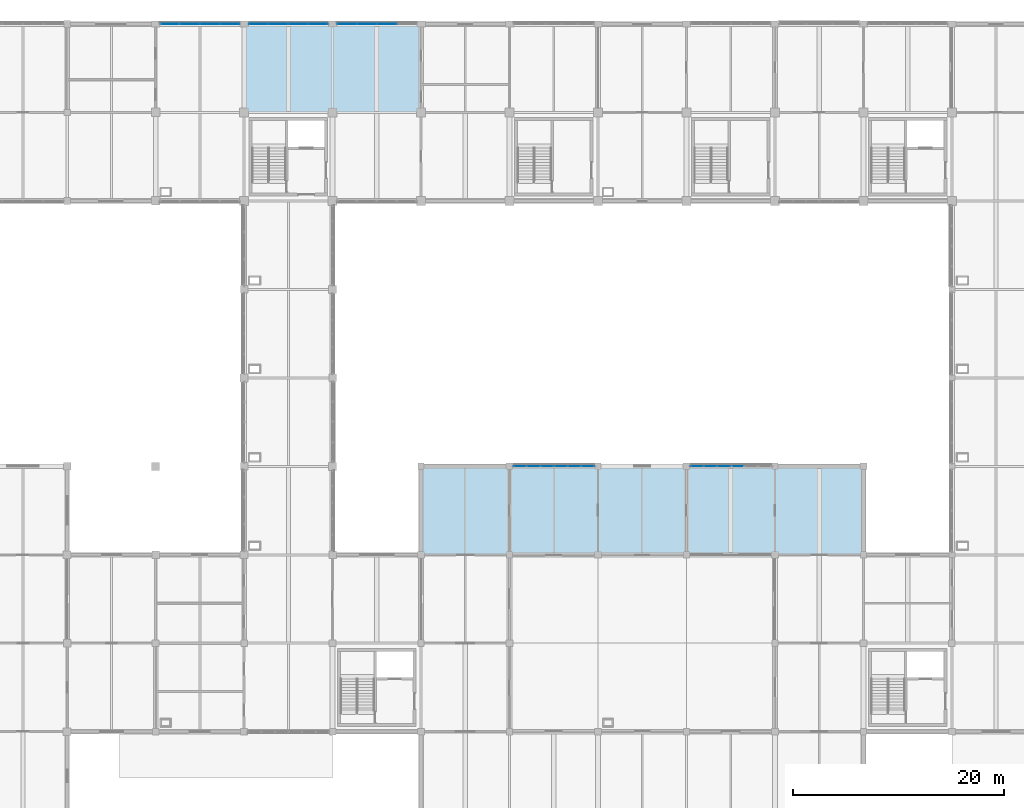
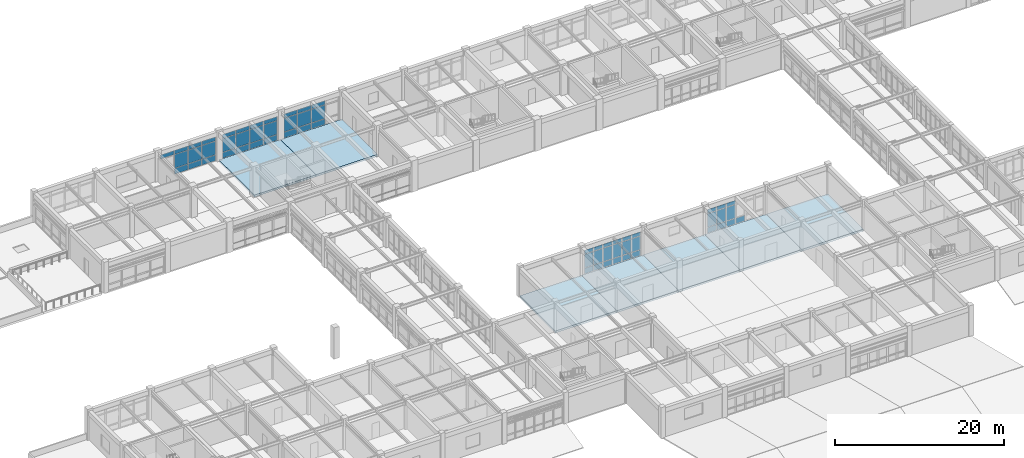
# One storey, part 49 of 78: 59 plates, 7 slabs, 5 elements without a shape of their own.
"""IFC4 building model written with IfcOpenShell, lengths in metres."""

import ifcopenshell
import ifcopenshell.guid

model = None  # the IFC model being written
_history = None  # IfcOwnerHistory: only IFC2X3 demands one
_inside = {}  # id of a spatial element -> (the spatial element, [elements in it])
_under = {}  # id of a project, library or spatial element -> (it, [spatial elements below it])
_declared = {}  # id of a project -> (the project, [libraries it declares])
_typed = {}  # id of a type object -> (the type object, [elements of that type])
_made_of = {}  # id of a material, layer set ... -> (it, [elements and type objects made of it])


def new_model(schema):
    """Start an empty IFC model of exactly this schema.

    Asked for "IFC4X3", IfcOpenShell would pick the latest addendum, in which some entities
    have other attributes; the version numbers below select the first issue.
    IFC2X3 requires an IfcOwnerHistory on every rooted entity: one is made here for all.
    """
    global model, _history
    if schema == "IFC4X3":
        model = ifcopenshell.file(schema_version=(4, 3, 0, 0))
    else:
        model = ifcopenshell.file(schema=schema)
    _inside.clear()
    _under.clear()
    _declared.clear()
    _typed.clear()
    _made_of.clear()
    _history = None
    if model.schema == "IFC2X3":
        org = make("IfcOrganization", Name="unknown")
        user = make(
            "IfcPersonAndOrganization",
            ThePerson=make("IfcPerson", FamilyName="unknown"),
            TheOrganization=org,
        )
        app = make(
            "IfcApplication",
            ApplicationDeveloper=org,
            Version="unknown",
            ApplicationFullName="unknown",
            ApplicationIdentifier="unknown",
        )
        _history = make(
            "IfcOwnerHistory",
            OwningUser=user,
            OwningApplication=app,
            ChangeAction="ADDED",
            CreationDate=0,
        )
    return model


def make(cls, **values):
    """One entity of the class cls with the attributes given. An attribute that is None is left unset."""
    return model.create_entity(
        cls, **{name: value for name, value in values.items() if value is not None}
    )


def rooted(cls, **values):
    """An entity with a GlobalId (a new one), such as an element, a storey or a relation."""
    return make(cls, GlobalId=ifcopenshell.guid.new(), OwnerHistory=_history, **values)


def si_unit(unit_type, name, prefix=None):
    """IfcSIUnit, for example si_unit("LENGTHUNIT", "METRE", prefix="MILLI")."""
    return make("IfcSIUnit", UnitType=unit_type, Prefix=prefix, Name=name)


def assignment(units):
    """IfcUnitAssignment: the units of a project."""
    return None if units is None else make("IfcUnitAssignment", Units=units)


def point(xyz):
    """IfcCartesianPoint."""
    return None if xyz is None else make("IfcCartesianPoint", Coordinates=xyz)


def direction(xyz):
    """IfcDirection."""
    return None if xyz is None else make("IfcDirection", DirectionRatios=xyz)


def frame(location, z_axis=None, x_axis=None):
    """IfcAxis2Placement3D, a coordinate frame: its origin and axes. An axis left out is left unset."""
    return make(
        "IfcAxis2Placement3D",
        Location=point(location),
        Axis=direction(z_axis),
        RefDirection=direction(x_axis),
    )


def frame_2d(location, x_axis=None):
    """IfcAxis2Placement2D, a coordinate frame in the plane: its origin and x axis."""
    return make(
        "IfcAxis2Placement2D", Location=point(location), RefDirection=direction(x_axis)
    )


def origin():
    """The frame at (0, 0, 0) with its axes left unset."""
    return frame((0.0, 0.0, 0.0))


def origin_2d():
    """The frame at (0, 0) in the plane with its x axis left unset."""
    return frame_2d((0.0, 0.0))


def place(relative_to, where):
    """IfcLocalPlacement: puts the frame where relative to a parent placement (None: the world)."""
    return make(
        "IfcLocalPlacement", PlacementRelTo=relative_to, RelativePlacement=where
    )


def context(
    kind, dimensions, precision=None, world=None, true_north=None, identifier=None
):
    """IfcGeometricRepresentationContext, for example the 3D "Model" context."""
    return make(
        "IfcGeometricRepresentationContext",
        ContextIdentifier=identifier,
        ContextType=kind,
        CoordinateSpaceDimension=dimensions,
        Precision=precision,
        WorldCoordinateSystem=world,
        TrueNorth=true_north,
    )


def subcontext(parent, identifier, kind, view, scale=None):
    """IfcGeometricRepresentationSubContext, for example "Body" below "Model"."""
    return make(
        "IfcGeometricRepresentationSubContext",
        ContextIdentifier=identifier,
        ContextType=kind,
        ParentContext=parent,
        TargetScale=scale,
        TargetView=view,
    )


def project(units=None, contexts=None):
    """IfcProject with its units and contexts."""
    return rooted(
        "IfcProject",
        Name="project",
        RepresentationContexts=contexts,
        UnitsInContext=assignment(units),
    )


def spatial(cls, under=None, at=None, **own):
    """A site, building, storey or space (cls), placed at a placement, below another one or the project."""
    s = rooted(cls, ObjectPlacement=at, **own)
    if under is not None:
        _under.setdefault(under.id(), (under, []))[1].append(s)
    return s


def polyline(points):
    """IfcPolyline through the points."""
    return make("IfcPolyline", Points=[point(p) for p in points])


def profile(cls, at=None, kind="AREA", **sizes):
    """A parametric profile (cls). Its sizes go by their IFC names, for example OverallWidth=200.0."""
    return make(cls, ProfileType=kind, Position=at, **sizes)


def rectangle(**sizes):
    """IfcRectangleProfileDef."""
    return profile("IfcRectangleProfileDef", **sizes)


def outline(outer, holes=None, kind="AREA"):
    """IfcArbitraryClosedProfileDef: a profile drawn as a closed curve; with holes, ...WithVoids."""
    if holes is None:
        return make("IfcArbitraryClosedProfileDef", ProfileType=kind, OuterCurve=outer)
    return make(
        "IfcArbitraryProfileDefWithVoids",
        ProfileType=kind,
        OuterCurve=outer,
        InnerCurves=holes,
    )


def extrude(swept, where, along, depth):
    """IfcExtrudedAreaSolid: the profile swept, set in the frame where, extruded along a direction by depth."""
    return make(
        "IfcExtrudedAreaSolid",
        SweptArea=swept,
        Position=where,
        ExtrudedDirection=direction(along),
        Depth=depth,
    )


def shape(context_of_items, identifier, shape_type, items):
    """IfcShapeRepresentation: the items that make up one representation, for example the "Body"."""
    return make(
        "IfcShapeRepresentation",
        ContextOfItems=context_of_items,
        RepresentationIdentifier=identifier,
        RepresentationType=shape_type,
        Items=items,
    )


def material(Name=None, Category=None):
    """IfcMaterial."""
    return make("IfcMaterial", Name=Name, Category=Category)


def layer(
    of_material, thickness, ventilated=None, Name=None, Category=None, Priority=None
):
    """IfcMaterialLayer: one layer of a wall or slab, of a material (None: an air gap)."""
    return make(
        "IfcMaterialLayer",
        Material=of_material,
        LayerThickness=thickness,
        IsVentilated=ventilated,
        Name=Name,
        Category=Category,
        Priority=Priority,
    )


def layer_set(layers, Name=None):
    """IfcMaterialLayerSet."""
    return make("IfcMaterialLayerSet", MaterialLayers=layers, LayerSetName=Name)


def made_of(thing, what):
    """Note that an element or type object is made of a material, layer set ...; save() writes the relation."""
    if what is not None:
        _made_of.setdefault(what.id(), (what, []))[1].append(thing)
    return thing


def type_object(cls, material=None, **own):
    """A type object (cls), such as IfcWallType, which elements share."""
    return made_of(rooted(cls, **own), material)


def element(
    cls,
    number,
    at=None,
    inside=None,
    cuts=None,
    type_object=None,
    material=None,
    context=None,
    identifier="Body",
    shape_type=None,
    held_by="IfcProductDefinitionShape",
    body=None,
    shapes=None,
    **own,
):
    """One element of the class cls, such as IfcWall. Its Tag is "e" and its number.

    at: its placement. inside: the storey or other place that contains it. cuts: it is an
    opening in that element (IfcRelVoidsElement). A single representation is given by context,
    identifier, shape_type and body (its items); several are given by shapes. held_by: the class
    of the entity that holds the representations. save() writes the other relations.
    """
    e = rooted(cls, Tag="e%d" % number, ObjectPlacement=at, **own)
    if body is not None:
        shapes = [shape(context, identifier, shape_type, body)]
    if shapes is not None:
        e.Representation = make(held_by, Representations=shapes)
    if inside is not None:
        _inside.setdefault(inside.id(), (inside, []))[1].append(e)
    if cuts is not None:
        rooted(
            "IfcRelVoidsElement", RelatingBuildingElement=cuts, RelatedOpeningElement=e
        )
    if type_object is not None:
        _typed.setdefault(type_object.id(), (type_object, []))[1].append(e)
    return made_of(e, material)


def aggregate(whole, parts):
    """IfcRelAggregates: a whole, such as a stair, and the parts it consists of."""
    return rooted("IfcRelAggregates", RelatingObject=whole, RelatedObjects=parts)


def save(model, path):
    """Write the relations noted so far, then the file.

    IfcRelAggregates (storeys below a building ...), IfcRelContainedInSpatialStructure (elements
    in a storey), IfcRelDefinesByType, IfcRelAssociatesMaterial and IfcRelDeclares: one each for
    every whole, place, type object, material and project.
    """
    for whole, parts in _under.values():
        aggregate(whole, parts)
    for where, things in _inside.values():
        rooted(
            "IfcRelContainedInSpatialStructure",
            RelatedElements=things,
            RelatingStructure=where,
        )
    for kind, things in _typed.values():
        rooted("IfcRelDefinesByType", RelatedObjects=things, RelatingType=kind)
    for what, things in _made_of.values():
        rooted("IfcRelAssociatesMaterial", RelatedObjects=things, RelatingMaterial=what)
    for by, libraries in _declared.values():
        rooted("IfcRelDeclares", RelatingContext=by, RelatedDefinitions=libraries)
    model.write(path)


model = new_model("IFC4")

# Units and contexts
model_context = context("Model", 3, precision=1e-05, world=origin(), true_north=direction((0.0, 1.0)))
body_context = subcontext(model_context, "Body", "Model", "MODEL_VIEW")
ifc_project = project(units=[si_unit("LENGTHUNIT", "METRE"), si_unit("AREAUNIT", "SQUARE_METRE"), si_unit("VOLUMEUNIT", "CUBIC_METRE"), si_unit("PLANEANGLEUNIT", "RADIAN"), si_unit("MASSUNIT", "GRAM", prefix="KILO")], contexts=[model_context])

# Site, building, storey
site_placement = place(None, origin())
site = spatial("IfcSite", under=ifc_project, at=site_placement, CompositionType="ELEMENT")
building_placement = place(site_placement, origin())
building = spatial("IfcBuilding", under=site, at=building_placement, Name="Porcellanite Civic Hall", CompositionType="ELEMENT")
storey_placement = place(building_placement, frame((0.0, 0.0, 10.260009765625)))
storey = spatial("IfcBuildingStorey", under=building, at=storey_placement, Name="L02", CompositionType="ELEMENT", Elevation=10.260009765625)

# Curtain wall, plates
ifc_material_1 = material(Name="Anodised aluminium and solar laminated glass", Category="aluminium")
ifc_layer_1 = layer(ifc_material_1, 0.179931640625)
ifc_layer_set_1 = layer_set([ifc_layer_1], Name="Anodised aluminium and solar laminated glass")
curtain_wall_type_1 = type_object("IfcCurtainWallType", Name="CW-SYS06", PredefinedType="NOTDEFINED", material=ifc_layer_set_1)
curtain_wall_1_placement = place(storey_placement, origin())
curtain_wall_1 = element("IfcCurtainWall", 1, at=curtain_wall_1_placement, inside=storey, type_object=curtain_wall_type_1, Name="Curtain wall CW-140", PredefinedType="NOTDEFINED")
ifc_material_2 = material(Name="Cyclone laminated solar-control low-E glass", Category="glass")
ifc_layer_2 = layer(ifc_material_2, 0.02392578125)
ifc_layer_set_2 = layer_set([ifc_layer_2], Name="Cyclone laminated solar-control low-E glass")
plate_type_1 = type_object("IfcPlateType", Name="CWP-01", PredefinedType="CURTAIN_PANEL", material=ifc_layer_set_2)
plate_1_placement = place(storey_placement, frame((43.366943359375, 117.60009765625, 2.9150390625), z_axis=(0.0, 0.0, 1.0), x_axis=(1.0, 0.0, 0.0)))
plate_1 = element("IfcPlate", 2, at=plate_1_placement, type_object=plate_type_1, Name="CW-140 panel 1.3", PredefinedType="CURTAIN_PANEL", context=body_context, shape_type="SweptSolid", body=[
    extrude(rectangle(XDim=1.802001953125, YDim=0.02392578125, at=origin_2d()), origin(), (0.0, 0.0, 1.0), 0.574951171875),
])
plate_2_placement = place(storey_placement, frame((45.250244140625, 117.60009765625, 0.0498046875), z_axis=(0.0, 0.0, 1.0), x_axis=(1.0, 0.0, 0.0)))
plate_2 = element("IfcPlate", 3, at=plate_2_placement, type_object=plate_type_1, Name="CW-140 panel 2.1", PredefinedType="CURTAIN_PANEL", context=body_context, shape_type="SweptSolid", body=[
    extrude(rectangle(XDim=1.83447265625, YDim=0.02392578125, at=origin_2d()), origin(), (0.0, 0.0, 1.0), 0.824951171875),
])
plate_3_placement = place(storey_placement, frame((45.250244140625, 117.60009765625, 0.925048828125), z_axis=(0.0, 0.0, 1.0), x_axis=(1.0, 0.0, 0.0)))
plate_3 = element("IfcPlate", 4, at=plate_3_placement, type_object=plate_type_1, Name="CW-140 panel 2.2", PredefinedType="CURTAIN_PANEL", context=body_context, shape_type="SweptSolid", body=[
    extrude(rectangle(XDim=1.83447265625, YDim=0.02392578125, at=origin_2d()), origin(), (0.0, 0.0, 1.0), 1.93994140625),
])
plate_4_placement = place(storey_placement, frame((45.250244140625, 117.60009765625, 2.9150390625), z_axis=(0.0, 0.0, 1.0), x_axis=(1.0, 0.0, 0.0)))
plate_4 = element("IfcPlate", 5, at=plate_4_placement, type_object=plate_type_1, Name="CW-140 panel 2.3", PredefinedType="CURTAIN_PANEL", context=body_context, shape_type="SweptSolid", body=[
    extrude(rectangle(XDim=1.83447265625, YDim=0.02392578125, at=origin_2d()), origin(), (0.0, 0.0, 1.0), 0.574951171875),
])
plate_5_placement = place(storey_placement, frame((47.149658203125, 117.60009765625, 0.0498046875), z_axis=(0.0, 0.0, 1.0), x_axis=(1.0, 0.0, 0.0)))
plate_5 = element("IfcPlate", 6, at=plate_5_placement, type_object=plate_type_1, Name="CW-140 panel 3.1", PredefinedType="CURTAIN_PANEL", context=body_context, shape_type="SweptSolid", body=[
    extrude(rectangle(XDim=1.83447265625, YDim=0.02392578125, at=origin_2d()), origin(), (0.0, 0.0, 1.0), 0.824951171875),
])
plate_6_placement = place(storey_placement, frame((47.149658203125, 117.60009765625, 0.925048828125), z_axis=(0.0, 0.0, 1.0), x_axis=(1.0, 0.0, 0.0)))
plate_6 = element("IfcPlate", 7, at=plate_6_placement, type_object=plate_type_1, Name="CW-140 panel 3.2", PredefinedType="CURTAIN_PANEL", context=body_context, shape_type="SweptSolid", body=[
    extrude(rectangle(XDim=1.83447265625, YDim=0.02392578125, at=origin_2d()), origin(), (0.0, 0.0, 1.0), 1.93994140625),
])
plate_7_placement = place(storey_placement, frame((47.149658203125, 117.60009765625, 2.9150390625), z_axis=(0.0, 0.0, 1.0), x_axis=(1.0, 0.0, 0.0)))
plate_7 = element("IfcPlate", 8, at=plate_7_placement, type_object=plate_type_1, Name="CW-140 panel 3.3", PredefinedType="CURTAIN_PANEL", context=body_context, shape_type="SweptSolid", body=[
    extrude(rectangle(XDim=1.83447265625, YDim=0.02392578125, at=origin_2d()), origin(), (0.0, 0.0, 1.0), 0.574951171875),
])
plate_8_placement = place(storey_placement, frame((49.032958984375, 117.60009765625, 0.0498046875), z_axis=(0.0, 0.0, 1.0), x_axis=(1.0, 0.0, 0.0)))
plate_8 = element("IfcPlate", 9, at=plate_8_placement, type_object=plate_type_1, Name="CW-140 panel 4.1", PredefinedType="CURTAIN_PANEL", context=body_context, shape_type="SweptSolid", body=[
    extrude(rectangle(XDim=1.802001953125, YDim=0.02392578125, at=origin_2d()), origin(), (0.0, 0.0, 1.0), 0.824951171875),
])
plate_9_placement = place(storey_placement, frame((49.032958984375, 117.60009765625, 0.925048828125), z_axis=(0.0, 0.0, 1.0), x_axis=(1.0, 0.0, 0.0)))
plate_9 = element("IfcPlate", 10, at=plate_9_placement, type_object=plate_type_1, Name="CW-140 panel 4.2", PredefinedType="CURTAIN_PANEL", context=body_context, shape_type="SweptSolid", body=[
    extrude(rectangle(XDim=1.802001953125, YDim=0.02392578125, at=origin_2d()), origin(), (0.0, 0.0, 1.0), 1.93994140625),
])
plate_10_placement = place(storey_placement, frame((49.032958984375, 117.60009765625, 2.9150390625), z_axis=(0.0, 0.0, 1.0), x_axis=(1.0, 0.0, 0.0)))
plate_10 = element("IfcPlate", 11, at=plate_10_placement, type_object=plate_type_1, Name="CW-140 panel 4.3", PredefinedType="CURTAIN_PANEL", context=body_context, shape_type="SweptSolid", body=[
    extrude(rectangle(XDim=1.802001953125, YDim=0.02392578125, at=origin_2d()), origin(), (0.0, 0.0, 1.0), 0.574951171875),
])
aggregate(curtain_wall_1, [plate_1, plate_2, plate_3, plate_4, plate_5, plate_6, plate_7, plate_8, plate_9, plate_10])

ifc_material_3 = material(Name="Anodised aluminium and solar laminated glass", Category="aluminium")
ifc_layer_3 = layer(ifc_material_3, 0.179931640625)
ifc_layer_set_3 = layer_set([ifc_layer_3], Name="Anodised aluminium and solar laminated glass")
curtain_wall_type_2 = type_object("IfcCurtainWallType", Name="CW-SYS03", PredefinedType="NOTDEFINED", material=ifc_layer_set_3)
curtain_wall_2_placement = place(storey_placement, origin())
curtain_wall_2 = element("IfcCurtainWall", 12, at=curtain_wall_2_placement, inside=storey, type_object=curtain_wall_type_2, Name="Curtain wall CW-150", PredefinedType="NOTDEFINED")
plate_11_placement = place(storey_placement, frame((51.770751953125, 117.60009765625, 0.054931640625), z_axis=(0.0, 0.0, 1.0), x_axis=(1.0, 0.0, 0.0)))
plate_11 = element("IfcPlate", 13, at=plate_11_placement, type_object=plate_type_1, Name="CW-150 panel 1.1", PredefinedType="CURTAIN_PANEL", context=body_context, shape_type="SweptSolid", body=[
    extrude(rectangle(XDim=1.779541015625, YDim=0.02392578125, at=origin_2d()), origin(), (0.0, 0.0, 1.0), 0.8173828125),
])
plate_12_placement = place(storey_placement, frame((51.770751953125, 117.60009765625, 0.927490234375), z_axis=(0.0, 0.0, 1.0), x_axis=(1.0, 0.0, 0.0)))
plate_12 = element("IfcPlate", 14, at=plate_12_placement, type_object=plate_type_1, Name="CW-150 panel 1.2", PredefinedType="CURTAIN_PANEL", context=body_context, shape_type="SweptSolid", body=[
    extrude(rectangle(XDim=1.779541015625, YDim=0.02392578125, at=origin_2d()), origin(), (0.0, 0.0, 1.0), 1.93505859375),
])
plate_13_placement = place(storey_placement, frame((51.770751953125, 117.60009765625, 2.91748046875), z_axis=(0.0, 0.0, 1.0), x_axis=(1.0, 0.0, 0.0)))
plate_13 = element("IfcPlate", 15, at=plate_13_placement, type_object=plate_type_1, Name="CW-150 panel 1.3", PredefinedType="CURTAIN_PANEL", context=body_context, shape_type="SweptSolid", body=[
    extrude(rectangle(XDim=1.779541015625, YDim=0.02392578125, at=origin_2d()), origin(), (0.0, 0.0, 1.0), 0.5673828125),
])
plate_14_placement = place(storey_placement, frame((53.650146484375, 117.60009765625, 0.054931640625), z_axis=(0.0, 0.0, 1.0), x_axis=(1.0, 0.0, 0.0)))
plate_14 = element("IfcPlate", 16, at=plate_14_placement, type_object=plate_type_1, Name="CW-150 panel 2.1", PredefinedType="CURTAIN_PANEL", context=body_context, shape_type="SweptSolid", body=[
    extrude(rectangle(XDim=1.819580078125, YDim=0.02392578125, at=origin_2d()), origin(), (0.0, 0.0, 1.0), 0.8173828125),
])
plate_15_placement = place(storey_placement, frame((53.650146484375, 117.60009765625, 0.927490234375), z_axis=(0.0, 0.0, 1.0), x_axis=(1.0, 0.0, 0.0)))
plate_15 = element("IfcPlate", 17, at=plate_15_placement, type_object=plate_type_1, Name="CW-150 panel 2.2", PredefinedType="CURTAIN_PANEL", context=body_context, shape_type="SweptSolid", body=[
    extrude(rectangle(XDim=1.819580078125, YDim=0.02392578125, at=origin_2d()), origin(), (0.0, 0.0, 1.0), 1.93505859375),
])
plate_16_placement = place(storey_placement, frame((53.650146484375, 117.60009765625, 2.91748046875), z_axis=(0.0, 0.0, 1.0), x_axis=(1.0, 0.0, 0.0)))
plate_16 = element("IfcPlate", 18, at=plate_16_placement, type_object=plate_type_1, Name="CW-150 panel 2.3", PredefinedType="CURTAIN_PANEL", context=body_context, shape_type="SweptSolid", body=[
    extrude(rectangle(XDim=1.819580078125, YDim=0.02392578125, at=origin_2d()), origin(), (0.0, 0.0, 1.0), 0.5673828125),
])
plate_17_placement = place(storey_placement, frame((55.5498046875, 117.60009765625, 0.054931640625), z_axis=(0.0, 0.0, 1.0), x_axis=(1.0, 0.0, 0.0)))
plate_17 = element("IfcPlate", 19, at=plate_17_placement, type_object=plate_type_1, Name="CW-150 panel 3.1", PredefinedType="CURTAIN_PANEL", context=body_context, shape_type="SweptSolid", body=[
    extrude(rectangle(XDim=1.819580078125, YDim=0.02392578125, at=origin_2d()), origin(), (0.0, 0.0, 1.0), 0.8173828125),
])
plate_18_placement = place(storey_placement, frame((55.5498046875, 117.60009765625, 0.927490234375), z_axis=(0.0, 0.0, 1.0), x_axis=(1.0, 0.0, 0.0)))
plate_18 = element("IfcPlate", 20, at=plate_18_placement, type_object=plate_type_1, Name="CW-150 panel 3.2", PredefinedType="CURTAIN_PANEL", context=body_context, shape_type="SweptSolid", body=[
    extrude(rectangle(XDim=1.819580078125, YDim=0.02392578125, at=origin_2d()), origin(), (0.0, 0.0, 1.0), 1.93505859375),
])
plate_19_placement = place(storey_placement, frame((55.5498046875, 117.60009765625, 2.91748046875), z_axis=(0.0, 0.0, 1.0), x_axis=(1.0, 0.0, 0.0)))
plate_19 = element("IfcPlate", 21, at=plate_19_placement, type_object=plate_type_1, Name="CW-150 panel 3.3", PredefinedType="CURTAIN_PANEL", context=body_context, shape_type="SweptSolid", body=[
    extrude(rectangle(XDim=1.819580078125, YDim=0.02392578125, at=origin_2d()), origin(), (0.0, 0.0, 1.0), 0.5673828125),
])
plate_20_placement = place(storey_placement, frame((57.42919921875, 117.60009765625, 0.054931640625), z_axis=(0.0, 0.0, 1.0), x_axis=(1.0, 0.0, 0.0)))
plate_20 = element("IfcPlate", 22, at=plate_20_placement, type_object=plate_type_1, Name="CW-150 panel 4.1", PredefinedType="CURTAIN_PANEL", context=body_context, shape_type="SweptSolid", body=[
    extrude(rectangle(XDim=1.779541015625, YDim=0.02392578125, at=origin_2d()), origin(), (0.0, 0.0, 1.0), 0.8173828125),
])
plate_21_placement = place(storey_placement, frame((57.42919921875, 117.60009765625, 0.927490234375), z_axis=(0.0, 0.0, 1.0), x_axis=(1.0, 0.0, 0.0)))
plate_21 = element("IfcPlate", 23, at=plate_21_placement, type_object=plate_type_1, Name="CW-150 panel 4.2", PredefinedType="CURTAIN_PANEL", context=body_context, shape_type="SweptSolid", body=[
    extrude(rectangle(XDim=1.779541015625, YDim=0.02392578125, at=origin_2d()), origin(), (0.0, 0.0, 1.0), 1.93505859375),
])
plate_22_placement = place(storey_placement, frame((57.42919921875, 117.60009765625, 2.91748046875), z_axis=(0.0, 0.0, 1.0), x_axis=(1.0, 0.0, 0.0)))
plate_22 = element("IfcPlate", 24, at=plate_22_placement, type_object=plate_type_1, Name="CW-150 panel 4.3", PredefinedType="CURTAIN_PANEL", context=body_context, shape_type="SweptSolid", body=[
    extrude(rectangle(XDim=1.779541015625, YDim=0.02392578125, at=origin_2d()), origin(), (0.0, 0.0, 1.0), 0.5673828125),
])
aggregate(curtain_wall_2, [plate_11, plate_12, plate_13, plate_14, plate_15, plate_16, plate_17, plate_18, plate_19, plate_20, plate_21, plate_22])

ifc_material_4 = material(Name="Anodised aluminium and solar laminated glass", Category="aluminium")
ifc_layer_4 = layer(ifc_material_4, 0.179931640625)
ifc_layer_set_4 = layer_set([ifc_layer_4], Name="Anodised aluminium and solar laminated glass")
curtain_wall_type_3 = type_object("IfcCurtainWallType", Name="CW-SYS01", PredefinedType="NOTDEFINED", material=ifc_layer_set_4)
curtain_wall_3_placement = place(storey_placement, origin())
curtain_wall_3 = element("IfcCurtainWall", 25, at=curtain_wall_3_placement, inside=storey, type_object=curtain_wall_type_3, Name="Curtain wall CW-154", PredefinedType="NOTDEFINED")
plate_23_placement = place(storey_placement, frame((76.59375, 75.60009765625, 0.070068359375), z_axis=(0.0, 0.0, 1.0), x_axis=(1.0, 0.0, 0.0)))
plate_23 = element("IfcPlate", 26, at=plate_23_placement, type_object=plate_type_1, Name="CW-154 panel 1.1", PredefinedType="CURTAIN_PANEL", context=body_context, shape_type="SweptSolid", body=[
    extrude(rectangle(XDim=1.175537109375, YDim=0.02392578125, at=origin_2d()), origin(), (0.0, 0.0, 1.0), 0.794921875),
])
plate_24_placement = place(storey_placement, frame((76.59375, 75.60009765625, 0.93505859375), z_axis=(0.0, 0.0, 1.0), x_axis=(1.0, 0.0, 0.0)))
plate_24 = element("IfcPlate", 27, at=plate_24_placement, type_object=plate_type_1, Name="CW-154 panel 1.2", PredefinedType="CURTAIN_PANEL", context=body_context, shape_type="SweptSolid", body=[
    extrude(rectangle(XDim=1.175537109375, YDim=0.02392578125, at=origin_2d()), origin(), (0.0, 0.0, 1.0), 1.919921875),
])
plate_25_placement = place(storey_placement, frame((76.59375, 75.60009765625, 2.925048828125), z_axis=(0.0, 0.0, 1.0), x_axis=(1.0, 0.0, 0.0)))
plate_25 = element("IfcPlate", 28, at=plate_25_placement, type_object=plate_type_1, Name="CW-154 panel 1.3", PredefinedType="CURTAIN_PANEL", context=body_context, shape_type="SweptSolid", body=[
    extrude(rectangle(XDim=1.175537109375, YDim=0.02392578125, at=origin_2d()), origin(), (0.0, 0.0, 1.0), 0.544921875),
])
plate_26_placement = place(storey_placement, frame((77.869140625, 75.60009765625, 0.070068359375), z_axis=(0.0, 0.0, 1.0), x_axis=(1.0, 0.0, 0.0)))
plate_26 = element("IfcPlate", 29, at=plate_26_placement, type_object=plate_type_1, Name="CW-154 panel 2.1", PredefinedType="CURTAIN_PANEL", context=body_context, shape_type="SweptSolid", body=[
    extrude(rectangle(XDim=1.215576171875, YDim=0.02392578125, at=origin_2d()), origin(), (0.0, 0.0, 1.0), 0.794921875),
])
plate_27_placement = place(storey_placement, frame((77.869140625, 75.60009765625, 0.93505859375), z_axis=(0.0, 0.0, 1.0), x_axis=(1.0, 0.0, 0.0)))
plate_27 = element("IfcPlate", 30, at=plate_27_placement, type_object=plate_type_1, Name="CW-154 panel 2.2", PredefinedType="CURTAIN_PANEL", context=body_context, shape_type="SweptSolid", body=[
    extrude(rectangle(XDim=1.215576171875, YDim=0.02392578125, at=origin_2d()), origin(), (0.0, 0.0, 1.0), 1.919921875),
])
plate_28_placement = place(storey_placement, frame((77.869140625, 75.60009765625, 2.925048828125), z_axis=(0.0, 0.0, 1.0), x_axis=(1.0, 0.0, 0.0)))
plate_28 = element("IfcPlate", 31, at=plate_28_placement, type_object=plate_type_1, Name="CW-154 panel 2.3", PredefinedType="CURTAIN_PANEL", context=body_context, shape_type="SweptSolid", body=[
    extrude(rectangle(XDim=1.215576171875, YDim=0.02392578125, at=origin_2d()), origin(), (0.0, 0.0, 1.0), 0.544921875),
])
plate_29_placement = place(storey_placement, frame((79.164794921875, 75.60009765625, 0.070068359375), z_axis=(0.0, 0.0, 1.0), x_axis=(1.0, 0.0, 0.0)))
plate_29 = element("IfcPlate", 32, at=plate_29_placement, type_object=plate_type_1, Name="CW-154 panel 3.1", PredefinedType="CURTAIN_PANEL", context=body_context, shape_type="SweptSolid", body=[
    extrude(rectangle(XDim=1.215576171875, YDim=0.02392578125, at=origin_2d()), origin(), (0.0, 0.0, 1.0), 0.794921875),
])
plate_30_placement = place(storey_placement, frame((79.164794921875, 75.60009765625, 0.93505859375), z_axis=(0.0, 0.0, 1.0), x_axis=(1.0, 0.0, 0.0)))
plate_30 = element("IfcPlate", 33, at=plate_30_placement, type_object=plate_type_1, Name="CW-154 panel 3.2", PredefinedType="CURTAIN_PANEL", context=body_context, shape_type="SweptSolid", body=[
    extrude(rectangle(XDim=1.215576171875, YDim=0.02392578125, at=origin_2d()), origin(), (0.0, 0.0, 1.0), 1.919921875),
])
plate_31_placement = place(storey_placement, frame((79.164794921875, 75.60009765625, 2.925048828125), z_axis=(0.0, 0.0, 1.0), x_axis=(1.0, 0.0, 0.0)))
plate_31 = element("IfcPlate", 34, at=plate_31_placement, type_object=plate_type_1, Name="CW-154 panel 3.3", PredefinedType="CURTAIN_PANEL", context=body_context, shape_type="SweptSolid", body=[
    extrude(rectangle(XDim=1.215576171875, YDim=0.02392578125, at=origin_2d()), origin(), (0.0, 0.0, 1.0), 0.544921875),
])
plate_32_placement = place(storey_placement, frame((80.460205078125, 75.60009765625, 0.070068359375), z_axis=(0.0, 0.0, 1.0), x_axis=(1.0, 0.0, 0.0)))
plate_32 = element("IfcPlate", 35, at=plate_32_placement, type_object=plate_type_1, Name="CW-154 panel 4.1", PredefinedType="CURTAIN_PANEL", context=body_context, shape_type="SweptSolid", body=[
    extrude(rectangle(XDim=1.215576171875, YDim=0.02392578125, at=origin_2d()), origin(), (0.0, 0.0, 1.0), 0.794921875),
])
plate_33_placement = place(storey_placement, frame((80.460205078125, 75.60009765625, 0.93505859375), z_axis=(0.0, 0.0, 1.0), x_axis=(1.0, 0.0, 0.0)))
plate_33 = element("IfcPlate", 36, at=plate_33_placement, type_object=plate_type_1, Name="CW-154 panel 4.2", PredefinedType="CURTAIN_PANEL", context=body_context, shape_type="SweptSolid", body=[
    extrude(rectangle(XDim=1.215576171875, YDim=0.02392578125, at=origin_2d()), origin(), (0.0, 0.0, 1.0), 1.919921875),
])
plate_34_placement = place(storey_placement, frame((80.460205078125, 75.60009765625, 2.925048828125), z_axis=(0.0, 0.0, 1.0), x_axis=(1.0, 0.0, 0.0)))
plate_34 = element("IfcPlate", 37, at=plate_34_placement, type_object=plate_type_1, Name="CW-154 panel 4.3", PredefinedType="CURTAIN_PANEL", context=body_context, shape_type="SweptSolid", body=[
    extrude(rectangle(XDim=1.215576171875, YDim=0.02392578125, at=origin_2d()), origin(), (0.0, 0.0, 1.0), 0.544921875),
])
plate_35_placement = place(storey_placement, frame((81.755859375, 75.60009765625, 0.070068359375), z_axis=(0.0, 0.0, 1.0), x_axis=(1.0, 0.0, 0.0)))
plate_35 = element("IfcPlate", 38, at=plate_35_placement, type_object=plate_type_1, Name="CW-154 panel 5.1", PredefinedType="CURTAIN_PANEL", context=body_context, shape_type="SweptSolid", body=[
    extrude(rectangle(XDim=1.215576171875, YDim=0.02392578125, at=origin_2d()), origin(), (0.0, 0.0, 1.0), 0.794921875),
])
plate_36_placement = place(storey_placement, frame((81.755859375, 75.60009765625, 0.93505859375), z_axis=(0.0, 0.0, 1.0), x_axis=(1.0, 0.0, 0.0)))
plate_36 = element("IfcPlate", 39, at=plate_36_placement, type_object=plate_type_1, Name="CW-154 panel 5.2", PredefinedType="CURTAIN_PANEL", context=body_context, shape_type="SweptSolid", body=[
    extrude(rectangle(XDim=1.215576171875, YDim=0.02392578125, at=origin_2d()), origin(), (0.0, 0.0, 1.0), 1.919921875),
])
plate_37_placement = place(storey_placement, frame((81.755859375, 75.60009765625, 2.925048828125), z_axis=(0.0, 0.0, 1.0), x_axis=(1.0, 0.0, 0.0)))
plate_37 = element("IfcPlate", 40, at=plate_37_placement, type_object=plate_type_1, Name="CW-154 panel 5.3", PredefinedType="CURTAIN_PANEL", context=body_context, shape_type="SweptSolid", body=[
    extrude(rectangle(XDim=1.215576171875, YDim=0.02392578125, at=origin_2d()), origin(), (0.0, 0.0, 1.0), 0.544921875),
])
plate_38_placement = place(storey_placement, frame((83.03125, 75.60009765625, 0.070068359375), z_axis=(0.0, 0.0, 1.0), x_axis=(1.0, 0.0, 0.0)))
plate_38 = element("IfcPlate", 41, at=plate_38_placement, type_object=plate_type_1, Name="CW-154 panel 6.1", PredefinedType="CURTAIN_PANEL", context=body_context, shape_type="SweptSolid", body=[
    extrude(rectangle(XDim=1.175537109375, YDim=0.02392578125, at=origin_2d()), origin(), (0.0, 0.0, 1.0), 0.794921875),
])
plate_39_placement = place(storey_placement, frame((83.03125, 75.60009765625, 0.93505859375), z_axis=(0.0, 0.0, 1.0), x_axis=(1.0, 0.0, 0.0)))
plate_39 = element("IfcPlate", 42, at=plate_39_placement, type_object=plate_type_1, Name="CW-154 panel 6.2", PredefinedType="CURTAIN_PANEL", context=body_context, shape_type="SweptSolid", body=[
    extrude(rectangle(XDim=1.175537109375, YDim=0.02392578125, at=origin_2d()), origin(), (0.0, 0.0, 1.0), 1.919921875),
])
plate_40_placement = place(storey_placement, frame((83.03125, 75.60009765625, 2.925048828125), z_axis=(0.0, 0.0, 1.0), x_axis=(1.0, 0.0, 0.0)))
plate_40 = element("IfcPlate", 43, at=plate_40_placement, type_object=plate_type_1, Name="CW-154 panel 6.3", PredefinedType="CURTAIN_PANEL", context=body_context, shape_type="SweptSolid", body=[
    extrude(rectangle(XDim=1.175537109375, YDim=0.02392578125, at=origin_2d()), origin(), (0.0, 0.0, 1.0), 0.544921875),
])
aggregate(curtain_wall_3, [plate_23, plate_24, plate_25, plate_26, plate_27, plate_28, plate_29, plate_30, plate_31, plate_32, plate_33, plate_34, plate_35, plate_36, plate_37, plate_38, plate_39, plate_40])

curtain_wall_4_placement = place(storey_placement, origin())
curtain_wall_4 = element("IfcCurtainWall", 44, at=curtain_wall_4_placement, inside=storey, type_object=curtain_wall_type_3, Name="Curtain wall CW-157", PredefinedType="NOTDEFINED")
plate_41_placement = place(storey_placement, frame((93.393798828125, 75.60009765625, 0.070068359375), z_axis=(0.0, 0.0, 1.0), x_axis=(1.0, 0.0, 0.0)))
plate_41 = element("IfcPlate", 45, at=plate_41_placement, type_object=plate_type_1, Name="CW-157 panel 1.1", PredefinedType="CURTAIN_PANEL", context=body_context, shape_type="SweptSolid", body=[
    extrude(rectangle(XDim=1.175537109375, YDim=0.02392578125, at=origin_2d()), origin(), (0.0, 0.0, 1.0), 0.794921875),
])
plate_42_placement = place(storey_placement, frame((93.393798828125, 75.60009765625, 0.93505859375), z_axis=(0.0, 0.0, 1.0), x_axis=(1.0, 0.0, 0.0)))
plate_42 = element("IfcPlate", 46, at=plate_42_placement, type_object=plate_type_1, Name="CW-157 panel 1.2", PredefinedType="CURTAIN_PANEL", context=body_context, shape_type="SweptSolid", body=[
    extrude(rectangle(XDim=1.175537109375, YDim=0.02392578125, at=origin_2d()), origin(), (0.0, 0.0, 1.0), 1.919921875),
])
plate_43_placement = place(storey_placement, frame((93.393798828125, 75.60009765625, 2.925048828125), z_axis=(0.0, 0.0, 1.0), x_axis=(1.0, 0.0, 0.0)))
plate_43 = element("IfcPlate", 47, at=plate_43_placement, type_object=plate_type_1, Name="CW-157 panel 1.3", PredefinedType="CURTAIN_PANEL", context=body_context, shape_type="SweptSolid", body=[
    extrude(rectangle(XDim=1.175537109375, YDim=0.02392578125, at=origin_2d()), origin(), (0.0, 0.0, 1.0), 0.544921875),
])
plate_44_placement = place(storey_placement, frame((94.669189453125, 75.60009765625, 0.070068359375), z_axis=(0.0, 0.0, 1.0), x_axis=(1.0, 0.0, 0.0)))
plate_44 = element("IfcPlate", 48, at=plate_44_placement, type_object=plate_type_1, Name="CW-157 panel 2.1", PredefinedType="CURTAIN_PANEL", context=body_context, shape_type="SweptSolid", body=[
    extrude(rectangle(XDim=1.215576171875, YDim=0.02392578125, at=origin_2d()), origin(), (0.0, 0.0, 1.0), 0.794921875),
])
plate_45_placement = place(storey_placement, frame((94.669189453125, 75.60009765625, 0.93505859375), z_axis=(0.0, 0.0, 1.0), x_axis=(1.0, 0.0, 0.0)))
plate_45 = element("IfcPlate", 49, at=plate_45_placement, type_object=plate_type_1, Name="CW-157 panel 2.2", PredefinedType="CURTAIN_PANEL", context=body_context, shape_type="SweptSolid", body=[
    extrude(rectangle(XDim=1.215576171875, YDim=0.02392578125, at=origin_2d()), origin(), (0.0, 0.0, 1.0), 1.919921875),
])
plate_46_placement = place(storey_placement, frame((94.669189453125, 75.60009765625, 2.925048828125), z_axis=(0.0, 0.0, 1.0), x_axis=(1.0, 0.0, 0.0)))
plate_46 = element("IfcPlate", 50, at=plate_46_placement, type_object=plate_type_1, Name="CW-157 panel 2.3", PredefinedType="CURTAIN_PANEL", context=body_context, shape_type="SweptSolid", body=[
    extrude(rectangle(XDim=1.215576171875, YDim=0.02392578125, at=origin_2d()), origin(), (0.0, 0.0, 1.0), 0.544921875),
])
plate_47_placement = place(storey_placement, frame((95.96484375, 75.60009765625, 0.070068359375), z_axis=(0.0, 0.0, 1.0), x_axis=(1.0, 0.0, 0.0)))
plate_47 = element("IfcPlate", 51, at=plate_47_placement, type_object=plate_type_1, Name="CW-157 panel 3.1", PredefinedType="CURTAIN_PANEL", context=body_context, shape_type="SweptSolid", body=[
    extrude(rectangle(XDim=1.215576171875, YDim=0.02392578125, at=origin_2d()), origin(), (0.0, 0.0, 1.0), 0.794921875),
])
plate_48_placement = place(storey_placement, frame((95.96484375, 75.60009765625, 0.93505859375), z_axis=(0.0, 0.0, 1.0), x_axis=(1.0, 0.0, 0.0)))
plate_48 = element("IfcPlate", 52, at=plate_48_placement, type_object=plate_type_1, Name="CW-157 panel 3.2", PredefinedType="CURTAIN_PANEL", context=body_context, shape_type="SweptSolid", body=[
    extrude(rectangle(XDim=1.215576171875, YDim=0.02392578125, at=origin_2d()), origin(), (0.0, 0.0, 1.0), 1.919921875),
])
plate_49_placement = place(storey_placement, frame((95.96484375, 75.60009765625, 2.925048828125), z_axis=(0.0, 0.0, 1.0), x_axis=(1.0, 0.0, 0.0)))
plate_49 = element("IfcPlate", 53, at=plate_49_placement, type_object=plate_type_1, Name="CW-157 panel 3.3", PredefinedType="CURTAIN_PANEL", context=body_context, shape_type="SweptSolid", body=[
    extrude(rectangle(XDim=1.215576171875, YDim=0.02392578125, at=origin_2d()), origin(), (0.0, 0.0, 1.0), 0.544921875),
])
plate_50_placement = place(storey_placement, frame((97.26025390625, 75.60009765625, 0.070068359375), z_axis=(0.0, 0.0, 1.0), x_axis=(1.0, 0.0, 0.0)))
plate_50 = element("IfcPlate", 54, at=plate_50_placement, type_object=plate_type_1, Name="CW-157 panel 4.1", PredefinedType="CURTAIN_PANEL", context=body_context, shape_type="SweptSolid", body=[
    extrude(rectangle(XDim=1.215576171875, YDim=0.02392578125, at=origin_2d()), origin(), (0.0, 0.0, 1.0), 0.794921875),
])
aggregate(curtain_wall_4, [plate_41, plate_42, plate_43, plate_44, plate_45, plate_46, plate_47, plate_48, plate_49, plate_50])

curtain_wall_5_placement = place(storey_placement, origin())
curtain_wall_5 = element("IfcCurtainWall", 55, at=curtain_wall_5_placement, inside=storey, type_object=curtain_wall_type_1, Name="Curtain wall CW-152", PredefinedType="NOTDEFINED")
ifc_material_5 = material(Name="Cyclone laminated solar-control low-E glass", Category="glass")
ifc_layer_5 = layer(ifc_material_5, 0.028076171875)
ifc_layer_set_5 = layer_set([ifc_layer_5], Name="Cyclone laminated solar-control low-E glass")
plate_type_2 = type_object("IfcPlateType", Name="CWP-03", PredefinedType="CURTAIN_PANEL", material=ifc_layer_set_5)
plate_51_placement = place(storey_placement, frame((60.1669921875, 117.60009765625, 0.0498046875), z_axis=(0.0, 0.0, 1.0), x_axis=(1.0, 0.0, 0.0)))
plate_51 = element("IfcPlate", 56, at=plate_51_placement, type_object=plate_type_2, Name="CW-152 panel 1.1", PredefinedType="CURTAIN_PANEL", context=body_context, shape_type="SweptSolid", body=[
    extrude(rectangle(XDim=1.802001953125, YDim=0.028076171875, at=origin_2d()), origin(), (0.0, 0.0, 1.0), 0.824951171875),
])
plate_52_placement = place(storey_placement, frame((60.1669921875, 117.60009765625, 0.925048828125), z_axis=(0.0, 0.0, 1.0), x_axis=(1.0, 0.0, 0.0)))
plate_52 = element("IfcPlate", 57, at=plate_52_placement, type_object=plate_type_2, Name="CW-152 panel 1.2", PredefinedType="CURTAIN_PANEL", context=body_context, shape_type="SweptSolid", body=[
    extrude(rectangle(XDim=1.802001953125, YDim=0.028076171875, at=origin_2d()), origin(), (0.0, 0.0, 1.0), 1.93994140625),
])
plate_53_placement = place(storey_placement, frame((60.1669921875, 117.60009765625, 2.9150390625), z_axis=(0.0, 0.0, 1.0), x_axis=(1.0, 0.0, 0.0)))
plate_53 = element("IfcPlate", 58, at=plate_53_placement, type_object=plate_type_2, Name="CW-152 panel 1.3", PredefinedType="CURTAIN_PANEL", context=body_context, shape_type="SweptSolid", body=[
    extrude(rectangle(XDim=1.802001953125, YDim=0.028076171875, at=origin_2d()), origin(), (0.0, 0.0, 1.0), 0.574951171875),
])
plate_54_placement = place(storey_placement, frame((62.05029296875, 117.60009765625, 0.0498046875), z_axis=(0.0, 0.0, 1.0), x_axis=(1.0, 0.0, 0.0)))
plate_54 = element("IfcPlate", 59, at=plate_54_placement, type_object=plate_type_2, Name="CW-152 panel 2.1", PredefinedType="CURTAIN_PANEL", context=body_context, shape_type="SweptSolid", body=[
    extrude(rectangle(XDim=1.83447265625, YDim=0.028076171875, at=origin_2d()), origin(), (0.0, 0.0, 1.0), 0.824951171875),
])
plate_55_placement = place(storey_placement, frame((62.05029296875, 117.60009765625, 0.925048828125), z_axis=(0.0, 0.0, 1.0), x_axis=(1.0, 0.0, 0.0)))
plate_55 = element("IfcPlate", 60, at=plate_55_placement, type_object=plate_type_2, Name="CW-152 panel 2.2", PredefinedType="CURTAIN_PANEL", context=body_context, shape_type="SweptSolid", body=[
    extrude(rectangle(XDim=1.83447265625, YDim=0.028076171875, at=origin_2d()), origin(), (0.0, 0.0, 1.0), 1.93994140625),
])
plate_56_placement = place(storey_placement, frame((62.05029296875, 117.60009765625, 2.9150390625), z_axis=(0.0, 0.0, 1.0), x_axis=(1.0, 0.0, 0.0)))
plate_56 = element("IfcPlate", 61, at=plate_56_placement, type_object=plate_type_2, Name="CW-152 panel 2.3", PredefinedType="CURTAIN_PANEL", context=body_context, shape_type="SweptSolid", body=[
    extrude(rectangle(XDim=1.83447265625, YDim=0.028076171875, at=origin_2d()), origin(), (0.0, 0.0, 1.0), 0.574951171875),
])
plate_57_placement = place(storey_placement, frame((63.94970703125, 117.60009765625, 0.0498046875), z_axis=(0.0, 0.0, 1.0), x_axis=(1.0, 0.0, 0.0)))
plate_57 = element("IfcPlate", 62, at=plate_57_placement, type_object=plate_type_2, Name="CW-152 panel 3.1", PredefinedType="CURTAIN_PANEL", context=body_context, shape_type="SweptSolid", body=[
    extrude(rectangle(XDim=1.83447265625, YDim=0.028076171875, at=origin_2d()), origin(), (0.0, 0.0, 1.0), 0.824951171875),
])
plate_58_placement = place(storey_placement, frame((63.94970703125, 117.60009765625, 0.925048828125), z_axis=(0.0, 0.0, 1.0), x_axis=(1.0, 0.0, 0.0)))
plate_58 = element("IfcPlate", 63, at=plate_58_placement, type_object=plate_type_2, Name="CW-152 panel 3.2", PredefinedType="CURTAIN_PANEL", context=body_context, shape_type="SweptSolid", body=[
    extrude(rectangle(XDim=1.83447265625, YDim=0.028076171875, at=origin_2d()), origin(), (0.0, 0.0, 1.0), 1.93994140625),
])
plate_59_placement = place(storey_placement, frame((63.94970703125, 117.60009765625, 2.9150390625), z_axis=(0.0, 0.0, 1.0), x_axis=(1.0, 0.0, 0.0)))
plate_59 = element("IfcPlate", 64, at=plate_59_placement, type_object=plate_type_2, Name="CW-152 panel 3.3", PredefinedType="CURTAIN_PANEL", context=body_context, shape_type="SweptSolid", body=[
    extrude(rectangle(XDim=1.83447265625, YDim=0.028076171875, at=origin_2d()), origin(), (0.0, 0.0, 1.0), 0.574951171875),
])
aggregate(curtain_wall_5, [plate_51, plate_52, plate_53, plate_54, plate_55, plate_56, plate_57, plate_58, plate_59])

# Slabs
ifc_material_6 = material(Name="Concrete N40 (40 MPa)", Category="concrete")
ifc_layer_6 = layer(ifc_material_6, 0.280029296875)
ifc_layer_set_6 = layer_set([ifc_layer_6], Name="Concrete N40 (40 MPa)")
slab_type_1 = type_object("IfcSlabType", Name="SL-FL280", PredefinedType="FLOOR", material=ifc_layer_set_6)
slab_1_placement = place(storey_placement, frame((0.0, 0.0, -0.280029296875)))
element("IfcSlab", 65, at=slab_1_placement, inside=storey, type_object=slab_type_1, Name="Slab L02 bay 7-14", PredefinedType="FLOOR", context=body_context, shape_type="SweptSolid", body=[
    extrude(outline(polyline([(50.39990234375, 109.199951171875), (58.800048828125, 109.199951171875), (58.800048828125, 117.60009765625), (50.39990234375, 117.60009765625), (50.39990234375, 109.199951171875)])), origin(), (0.0, 0.0, 1.0), 0.280029296875),
])
slab_2_placement = place(storey_placement, frame((0.0, 0.0, -0.280029296875)))
element("IfcSlab", 66, at=slab_2_placement, inside=storey, type_object=slab_type_1, Name="Slab L02 bay 8-14", PredefinedType="FLOOR", context=body_context, shape_type="SweptSolid", body=[
    extrude(outline(polyline([(58.800048828125, 109.199951171875), (67.199951171875, 109.199951171875), (67.199951171875, 117.60009765625), (58.800048828125, 117.60009765625), (58.800048828125, 109.199951171875)])), origin(), (0.0, 0.0, 1.0), 0.280029296875),
])
ifc_material_7 = material(Name="Concrete N40 (40 MPa)", Category="concrete")
ifc_layer_7 = layer(ifc_material_7, 0.300048828125)
ifc_layer_set_7 = layer_set([ifc_layer_7], Name="Concrete N40 (40 MPa)")
slab_type_2 = type_object("IfcSlabType", Name="SL-TR300", PredefinedType="FLOOR", material=ifc_layer_set_7)
slab_3_placement = place(storey_placement, frame((0.0, 0.0, -0.300048828125)))
element("IfcSlab", 67, at=slab_3_placement, inside=storey, type_object=slab_type_2, Name="Slab L02 bay 9-9", PredefinedType="FLOOR", context=body_context, shape_type="SweptSolid", body=[
    extrude(outline(polyline([(67.199951171875, 67.199951171875), (75.60009765625, 67.199951171875), (75.60009765625, 75.60009765625), (67.199951171875, 75.60009765625), (67.199951171875, 67.199951171875)])), origin(), (0.0, 0.0, 1.0), 0.300048828125),
])
slab_4_placement = place(storey_placement, frame((0.0, 0.0, -0.300048828125)))
element("IfcSlab", 68, at=slab_4_placement, inside=storey, type_object=slab_type_2, Name="Slab L02 bay 10-9", PredefinedType="FLOOR", context=body_context, shape_type="SweptSolid", body=[
    extrude(outline(polyline([(75.60009765625, 67.199951171875), (84.0, 67.199951171875), (84.0, 75.60009765625), (75.60009765625, 75.60009765625), (75.60009765625, 67.199951171875)])), origin(), (0.0, 0.0, 1.0), 0.300048828125),
])
slab_5_placement = place(storey_placement, frame((0.0, 0.0, -0.300048828125)))
element("IfcSlab", 69, at=slab_5_placement, inside=storey, type_object=slab_type_2, Name="Slab L02 bay 11-9", PredefinedType="FLOOR", context=body_context, shape_type="SweptSolid", body=[
    extrude(outline(polyline([(84.0, 67.199951171875), (92.39990234375, 67.199951171875), (92.39990234375, 75.60009765625), (84.0, 75.60009765625), (84.0, 67.199951171875)])), origin(), (0.0, 0.0, 1.0), 0.300048828125),
])
slab_6_placement = place(storey_placement, frame((0.0, 0.0, -0.300048828125)))
element("IfcSlab", 70, at=slab_6_placement, inside=storey, type_object=slab_type_2, Name="Slab L02 bay 12-9", PredefinedType="FLOOR", context=body_context, shape_type="SweptSolid", body=[
    extrude(outline(polyline([(92.39990234375, 67.199951171875), (100.800048828125, 67.199951171875), (100.800048828125, 75.60009765625), (92.39990234375, 75.60009765625), (92.39990234375, 67.199951171875)])), origin(), (0.0, 0.0, 1.0), 0.300048828125),
])
slab_7_placement = place(storey_placement, frame((0.0, 0.0, -0.300048828125)))
element("IfcSlab", 71, at=slab_7_placement, inside=storey, type_object=slab_type_2, Name="Slab L02 bay 13-9", PredefinedType="FLOOR", context=body_context, shape_type="SweptSolid", body=[
    extrude(outline(polyline([(100.800048828125, 67.199951171875), (109.199951171875, 67.199951171875), (109.199951171875, 75.60009765625), (100.800048828125, 75.60009765625), (100.800048828125, 67.199951171875)])), origin(), (0.0, 0.0, 1.0), 0.300048828125),
])

save(model, "model.ifc")
